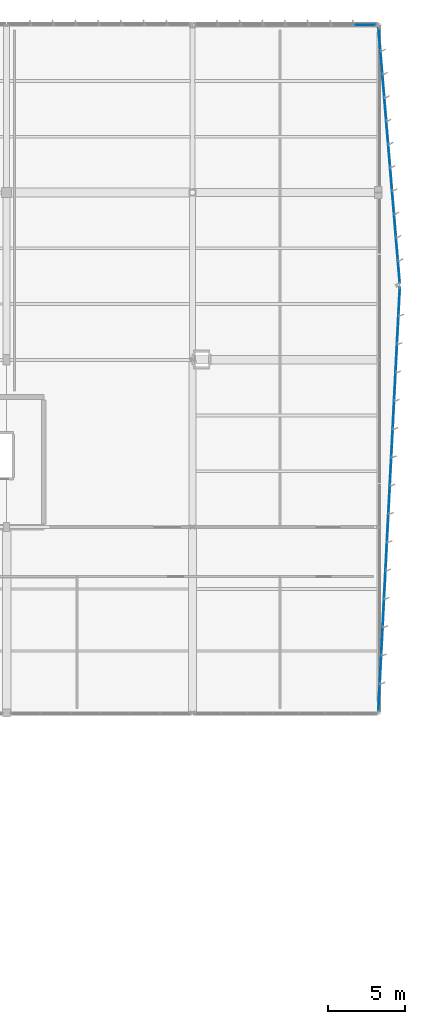
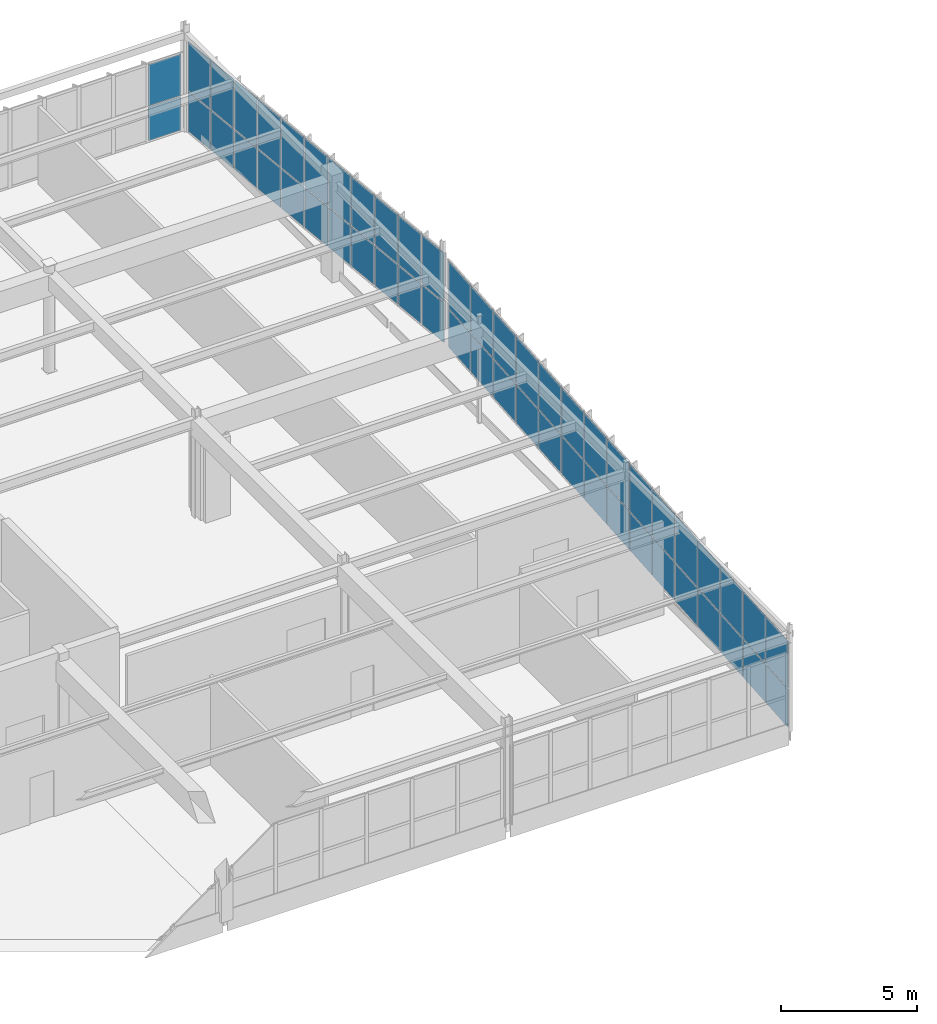
# One storey, part 152 of 226: 54 plates, 3 elements without a shape of their own.
"""IFC4 building model written with IfcOpenShell, lengths in metres."""

import ifcopenshell
import ifcopenshell.guid

model = None  # the IFC model being written
_history = None  # IfcOwnerHistory: only IFC2X3 demands one
_inside = {}  # id of a spatial element -> (the spatial element, [elements in it])
_under = {}  # id of a project, library or spatial element -> (it, [spatial elements below it])
_declared = {}  # id of a project -> (the project, [libraries it declares])
_typed = {}  # id of a type object -> (the type object, [elements of that type])
_made_of = {}  # id of a material, layer set ... -> (it, [elements and type objects made of it])


def new_model(schema):
    """Start an empty IFC model of exactly this schema.

    Asked for "IFC4X3", IfcOpenShell would pick the latest addendum, in which some entities
    have other attributes; the version numbers below select the first issue.
    IFC2X3 requires an IfcOwnerHistory on every rooted entity: one is made here for all.
    """
    global model, _history
    if schema == "IFC4X3":
        model = ifcopenshell.file(schema_version=(4, 3, 0, 0))
    else:
        model = ifcopenshell.file(schema=schema)
    _inside.clear()
    _under.clear()
    _declared.clear()
    _typed.clear()
    _made_of.clear()
    _history = None
    if model.schema == "IFC2X3":
        org = make("IfcOrganization", Name="unknown")
        user = make(
            "IfcPersonAndOrganization",
            ThePerson=make("IfcPerson", FamilyName="unknown"),
            TheOrganization=org,
        )
        app = make(
            "IfcApplication",
            ApplicationDeveloper=org,
            Version="unknown",
            ApplicationFullName="unknown",
            ApplicationIdentifier="unknown",
        )
        _history = make(
            "IfcOwnerHistory",
            OwningUser=user,
            OwningApplication=app,
            ChangeAction="ADDED",
            CreationDate=0,
        )
    return model


def make(cls, **values):
    """One entity of the class cls with the attributes given. An attribute that is None is left unset."""
    return model.create_entity(
        cls, **{name: value for name, value in values.items() if value is not None}
    )


def rooted(cls, **values):
    """An entity with a GlobalId (a new one), such as an element, a storey or a relation."""
    return make(cls, GlobalId=ifcopenshell.guid.new(), OwnerHistory=_history, **values)


def si_unit(unit_type, name, prefix=None):
    """IfcSIUnit, for example si_unit("LENGTHUNIT", "METRE", prefix="MILLI")."""
    return make("IfcSIUnit", UnitType=unit_type, Prefix=prefix, Name=name)


def assignment(units):
    """IfcUnitAssignment: the units of a project."""
    return None if units is None else make("IfcUnitAssignment", Units=units)


def point(xyz):
    """IfcCartesianPoint."""
    return None if xyz is None else make("IfcCartesianPoint", Coordinates=xyz)


def direction(xyz):
    """IfcDirection."""
    return None if xyz is None else make("IfcDirection", DirectionRatios=xyz)


def frame(location, z_axis=None, x_axis=None):
    """IfcAxis2Placement3D, a coordinate frame: its origin and axes. An axis left out is left unset."""
    return make(
        "IfcAxis2Placement3D",
        Location=point(location),
        Axis=direction(z_axis),
        RefDirection=direction(x_axis),
    )


def frame_2d(location, x_axis=None):
    """IfcAxis2Placement2D, a coordinate frame in the plane: its origin and x axis."""
    return make(
        "IfcAxis2Placement2D", Location=point(location), RefDirection=direction(x_axis)
    )


def origin():
    """The frame at (0, 0, 0) with its axes left unset."""
    return frame((0.0, 0.0, 0.0))


def origin_2d():
    """The frame at (0, 0) in the plane with its x axis left unset."""
    return frame_2d((0.0, 0.0))


def place(relative_to, where):
    """IfcLocalPlacement: puts the frame where relative to a parent placement (None: the world)."""
    return make(
        "IfcLocalPlacement", PlacementRelTo=relative_to, RelativePlacement=where
    )


def context(
    kind, dimensions, precision=None, world=None, true_north=None, identifier=None
):
    """IfcGeometricRepresentationContext, for example the 3D "Model" context."""
    return make(
        "IfcGeometricRepresentationContext",
        ContextIdentifier=identifier,
        ContextType=kind,
        CoordinateSpaceDimension=dimensions,
        Precision=precision,
        WorldCoordinateSystem=world,
        TrueNorth=true_north,
    )


def subcontext(parent, identifier, kind, view, scale=None):
    """IfcGeometricRepresentationSubContext, for example "Body" below "Model"."""
    return make(
        "IfcGeometricRepresentationSubContext",
        ContextIdentifier=identifier,
        ContextType=kind,
        ParentContext=parent,
        TargetScale=scale,
        TargetView=view,
    )


def project(units=None, contexts=None):
    """IfcProject with its units and contexts."""
    return rooted(
        "IfcProject",
        Name="project",
        RepresentationContexts=contexts,
        UnitsInContext=assignment(units),
    )


def spatial(cls, under=None, at=None, **own):
    """A site, building, storey or space (cls), placed at a placement, below another one or the project."""
    s = rooted(cls, ObjectPlacement=at, **own)
    if under is not None:
        _under.setdefault(under.id(), (under, []))[1].append(s)
    return s


def profile(cls, at=None, kind="AREA", **sizes):
    """A parametric profile (cls). Its sizes go by their IFC names, for example OverallWidth=200.0."""
    return make(cls, ProfileType=kind, Position=at, **sizes)


def rectangle(**sizes):
    """IfcRectangleProfileDef."""
    return profile("IfcRectangleProfileDef", **sizes)


def extrude(swept, where, along, depth):
    """IfcExtrudedAreaSolid: the profile swept, set in the frame where, extruded along a direction by depth."""
    return make(
        "IfcExtrudedAreaSolid",
        SweptArea=swept,
        Position=where,
        ExtrudedDirection=direction(along),
        Depth=depth,
    )


def shape(context_of_items, identifier, shape_type, items):
    """IfcShapeRepresentation: the items that make up one representation, for example the "Body"."""
    return make(
        "IfcShapeRepresentation",
        ContextOfItems=context_of_items,
        RepresentationIdentifier=identifier,
        RepresentationType=shape_type,
        Items=items,
    )


def material(Name=None, Category=None):
    """IfcMaterial."""
    return make("IfcMaterial", Name=Name, Category=Category)


def layer(
    of_material, thickness, ventilated=None, Name=None, Category=None, Priority=None
):
    """IfcMaterialLayer: one layer of a wall or slab, of a material (None: an air gap)."""
    return make(
        "IfcMaterialLayer",
        Material=of_material,
        LayerThickness=thickness,
        IsVentilated=ventilated,
        Name=Name,
        Category=Category,
        Priority=Priority,
    )


def layer_set(layers, Name=None):
    """IfcMaterialLayerSet."""
    return make("IfcMaterialLayerSet", MaterialLayers=layers, LayerSetName=Name)


def made_of(thing, what):
    """Note that an element or type object is made of a material, layer set ...; save() writes the relation."""
    if what is not None:
        _made_of.setdefault(what.id(), (what, []))[1].append(thing)
    return thing


def type_object(cls, material=None, **own):
    """A type object (cls), such as IfcWallType, which elements share."""
    return made_of(rooted(cls, **own), material)


def element(
    cls,
    number,
    at=None,
    inside=None,
    cuts=None,
    type_object=None,
    material=None,
    context=None,
    identifier="Body",
    shape_type=None,
    held_by="IfcProductDefinitionShape",
    body=None,
    shapes=None,
    **own,
):
    """One element of the class cls, such as IfcWall. Its Tag is "e" and its number.

    at: its placement. inside: the storey or other place that contains it. cuts: it is an
    opening in that element (IfcRelVoidsElement). A single representation is given by context,
    identifier, shape_type and body (its items); several are given by shapes. held_by: the class
    of the entity that holds the representations. save() writes the other relations.
    """
    e = rooted(cls, Tag="e%d" % number, ObjectPlacement=at, **own)
    if body is not None:
        shapes = [shape(context, identifier, shape_type, body)]
    if shapes is not None:
        e.Representation = make(held_by, Representations=shapes)
    if inside is not None:
        _inside.setdefault(inside.id(), (inside, []))[1].append(e)
    if cuts is not None:
        rooted(
            "IfcRelVoidsElement", RelatingBuildingElement=cuts, RelatedOpeningElement=e
        )
    if type_object is not None:
        _typed.setdefault(type_object.id(), (type_object, []))[1].append(e)
    return made_of(e, material)


def aggregate(whole, parts):
    """IfcRelAggregates: a whole, such as a stair, and the parts it consists of."""
    return rooted("IfcRelAggregates", RelatingObject=whole, RelatedObjects=parts)


def save(model, path):
    """Write the relations noted so far, then the file.

    IfcRelAggregates (storeys below a building ...), IfcRelContainedInSpatialStructure (elements
    in a storey), IfcRelDefinesByType, IfcRelAssociatesMaterial and IfcRelDeclares: one each for
    every whole, place, type object, material and project.
    """
    for whole, parts in _under.values():
        aggregate(whole, parts)
    for where, things in _inside.values():
        rooted(
            "IfcRelContainedInSpatialStructure",
            RelatedElements=things,
            RelatingStructure=where,
        )
    for kind, things in _typed.values():
        rooted("IfcRelDefinesByType", RelatedObjects=things, RelatingType=kind)
    for what, things in _made_of.values():
        rooted("IfcRelAssociatesMaterial", RelatedObjects=things, RelatingMaterial=what)
    for by, libraries in _declared.values():
        rooted("IfcRelDeclares", RelatingContext=by, RelatedDefinitions=libraries)
    model.write(path)


model = new_model("IFC4")

# Units and contexts
model_context = context("Model", 3, precision=1e-05, world=origin(), true_north=direction((0.0, 1.0)))
body_context = subcontext(model_context, "Body", "Model", "MODEL_VIEW")
ifc_project = project(units=[si_unit("LENGTHUNIT", "METRE"), si_unit("AREAUNIT", "SQUARE_METRE"), si_unit("VOLUMEUNIT", "CUBIC_METRE"), si_unit("PLANEANGLEUNIT", "RADIAN"), si_unit("MASSUNIT", "GRAM", prefix="KILO")], contexts=[model_context])

# Site, building, storey
site_placement = place(None, origin())
site = spatial("IfcSite", under=ifc_project, at=site_placement, CompositionType="ELEMENT")
building_placement = place(site_placement, origin())
building = spatial("IfcBuilding", under=site, at=building_placement, Name="Tarnwether General Hospital", CompositionType="ELEMENT")
storey_placement = place(building_placement, frame((0.0, 0.0, 4.800048828125)))
storey = spatial("IfcBuildingStorey", under=building, at=storey_placement, Name="L01", CompositionType="ELEMENT", Elevation=4.800048828125)

# Curtain wall, plates
ifc_material_1 = material(Name="Anodised aluminium", Category="aluminium")
ifc_layer_1 = layer(ifc_material_1, 0.159912109375)
ifc_layer_set_1 = layer_set([ifc_layer_1], Name="Anodised aluminium")
curtain_wall_type_1 = type_object("IfcCurtainWallType", Name="CW-16", PredefinedType="NOTDEFINED", material=ifc_layer_set_1)
curtain_wall_1_placement = place(storey_placement, origin())
curtain_wall_1 = element("IfcCurtainWall", 1, at=curtain_wall_1_placement, inside=storey, type_object=curtain_wall_type_1, Name="Curtain Wall CWG-L01-1802_1260-0392", PredefinedType="NOTDEFINED")
ifc_material_2 = material(Name="Double glazed low-E glass", Category="glass")
ifc_layer_2 = layer(ifc_material_2, 0.028076171875)
ifc_layer_set_2 = layer_set([ifc_layer_2], Name="Double glazed low-E glass")
plate_type = type_object("IfcPlateType", Name="PT-CWP1", PredefinedType="CURTAIN_PANEL", material=ifc_layer_set_2)
plate_1_placement = place(storey_placement, frame((191.119140625, 126.0, 0.059814453125), z_axis=(0.0, 0.0, 1.0), x_axis=(1.0, 0.0, 0.0)))
plate_1 = element("IfcPlate", 2, at=plate_1_placement, type_object=plate_type, Name="CW-16 panel 8.1", PredefinedType="CURTAIN_PANEL", context=body_context, shape_type="SweptSolid", body=[
    extrude(rectangle(XDim=1.371826171875, YDim=0.028076171875, at=origin_2d()), origin(), (0.0, 0.0, 1.0), 1.49853515625),
])
plate_2_placement = place(storey_placement, frame((191.119140625, 126.0, 1.618408203125), z_axis=(0.0, 0.0, 1.0), x_axis=(1.0, 0.0, 0.0)))
plate_2 = element("IfcPlate", 3, at=plate_2_placement, type_object=plate_type, Name="CW-16 panel 8.2", PredefinedType="CURTAIN_PANEL", context=body_context, shape_type="SweptSolid", body=[
    extrude(rectangle(XDim=1.371826171875, YDim=0.028076171875, at=origin_2d()), origin(), (0.0, 0.0, 1.0), 1.8515625),
])
aggregate(curtain_wall_1, [plate_1, plate_2])

curtain_wall_2_placement = place(storey_placement, origin())
curtain_wall_2 = element("IfcCurtainWall", 4, at=curtain_wall_2_placement, inside=storey, type_object=curtain_wall_type_1, Name="Curtain Wall CWG-L01-1920_1259-0397", PredefinedType="NOTDEFINED")
plate_3_placement = place(storey_placement, frame((192.075927734375, 125.088134765625, 0.059814453125), z_axis=(0.0, 0.0, 1.0), x_axis=(0.083065420017, -0.996544096364, 0.0)))
plate_3 = element("IfcPlate", 5, at=plate_3_placement, type_object=plate_type, Name="CW-16 panel 1.1", PredefinedType="CURTAIN_PANEL", context=body_context, shape_type="SweptSolid", body=[
    extrude(rectangle(XDim=1.419189453125, YDim=0.028076171875, at=origin_2d()), origin(), (0.0, 0.0, 1.0), 1.7685546875),
])
plate_4_placement = place(storey_placement, frame((192.075927734375, 125.088134765625, 1.888671875), z_axis=(0.0, 0.0, 1.0), x_axis=(0.083065420017, -0.996544096364, 0.0)))
plate_4 = element("IfcPlate", 6, at=plate_4_placement, type_object=plate_type, Name="CW-16 panel 1.2", PredefinedType="CURTAIN_PANEL", context=body_context, shape_type="SweptSolid", body=[
    extrude(rectangle(XDim=1.419189453125, YDim=0.028076171875, at=origin_2d()), origin(), (0.0, 0.0, 1.0), 2.181396484375),
])
plate_5_placement = place(storey_placement, frame((192.199951171875, 123.59912109375, 0.059814453125), z_axis=(0.0, 0.0, 1.0), x_axis=(0.083065420017, -0.996544096364, 0.0)))
plate_5 = element("IfcPlate", 7, at=plate_5_placement, type_object=plate_type, Name="CW-16 panel 2.1", PredefinedType="CURTAIN_PANEL", context=body_context, shape_type="SweptSolid", body=[
    extrude(rectangle(XDim=1.44921875, YDim=0.028076171875, at=origin_2d()), origin(), (0.0, 0.0, 1.0), 1.7685546875),
])
plate_6_placement = place(storey_placement, frame((192.199951171875, 123.59912109375, 1.888671875), z_axis=(0.0, 0.0, 1.0), x_axis=(0.083065420017, -0.996544096364, 0.0)))
plate_6 = element("IfcPlate", 8, at=plate_6_placement, type_object=plate_type, Name="CW-16 panel 2.2", PredefinedType="CURTAIN_PANEL", context=body_context, shape_type="SweptSolid", body=[
    extrude(rectangle(XDim=1.44921875, YDim=0.028076171875, at=origin_2d()), origin(), (0.0, 0.0, 1.0), 2.181396484375),
])
plate_7_placement = place(storey_placement, frame((192.325439453125, 122.094970703125, 0.059814453125), z_axis=(0.0, 0.0, 1.0), x_axis=(0.083065420017, -0.996544096364, 0.0)))
plate_7 = element("IfcPlate", 9, at=plate_7_placement, type_object=plate_type, Name="CW-16 panel 3.1", PredefinedType="CURTAIN_PANEL", context=body_context, shape_type="SweptSolid", body=[
    extrude(rectangle(XDim=1.44921875, YDim=0.028076171875, at=origin_2d()), origin(), (0.0, 0.0, 1.0), 1.7685546875),
])
plate_8_placement = place(storey_placement, frame((192.325439453125, 122.094970703125, 1.888671875), z_axis=(0.0, 0.0, 1.0), x_axis=(0.083065420017, -0.996544096364, 0.0)))
plate_8 = element("IfcPlate", 10, at=plate_8_placement, type_object=plate_type, Name="CW-16 panel 3.2", PredefinedType="CURTAIN_PANEL", context=body_context, shape_type="SweptSolid", body=[
    extrude(rectangle(XDim=1.44921875, YDim=0.028076171875, at=origin_2d()), origin(), (0.0, 0.0, 1.0), 2.181396484375),
])
plate_9_placement = place(storey_placement, frame((192.45068359375, 120.591064453125, 0.059814453125), z_axis=(0.0, 0.0, 1.0), x_axis=(0.083065420017, -0.996544096364, 0.0)))
plate_9 = element("IfcPlate", 11, at=plate_9_placement, type_object=plate_type, Name="CW-16 panel 4.1", PredefinedType="CURTAIN_PANEL", context=body_context, shape_type="SweptSolid", body=[
    extrude(rectangle(XDim=1.44921875, YDim=0.028076171875, at=origin_2d()), origin(), (0.0, 0.0, 1.0), 1.7685546875),
])
plate_10_placement = place(storey_placement, frame((192.45068359375, 120.591064453125, 1.888671875), z_axis=(0.0, 0.0, 1.0), x_axis=(0.083065420017, -0.996544096364, 0.0)))
plate_10 = element("IfcPlate", 12, at=plate_10_placement, type_object=plate_type, Name="CW-16 panel 4.2", PredefinedType="CURTAIN_PANEL", context=body_context, shape_type="SweptSolid", body=[
    extrude(rectangle(XDim=1.44921875, YDim=0.028076171875, at=origin_2d()), origin(), (0.0, 0.0, 1.0), 2.181396484375),
])
plate_11_placement = place(storey_placement, frame((192.576171875, 119.0869140625, 0.059814453125), z_axis=(0.0, 0.0, 1.0), x_axis=(0.083065420017, -0.996544096364, 0.0)))
plate_11 = element("IfcPlate", 13, at=plate_11_placement, type_object=plate_type, Name="CW-16 panel 5.1", PredefinedType="CURTAIN_PANEL", context=body_context, shape_type="SweptSolid", body=[
    extrude(rectangle(XDim=1.44921875, YDim=0.028076171875, at=origin_2d()), origin(), (0.0, 0.0, 1.0), 1.7685546875),
])
plate_12_placement = place(storey_placement, frame((192.576171875, 119.0869140625, 1.888671875), z_axis=(0.0, 0.0, 1.0), x_axis=(0.083065420017, -0.996544096364, 0.0)))
plate_12 = element("IfcPlate", 14, at=plate_12_placement, type_object=plate_type, Name="CW-16 panel 5.2", PredefinedType="CURTAIN_PANEL", context=body_context, shape_type="SweptSolid", body=[
    extrude(rectangle(XDim=1.44921875, YDim=0.028076171875, at=origin_2d()), origin(), (0.0, 0.0, 1.0), 2.181396484375),
])
plate_13_placement = place(storey_placement, frame((192.701416015625, 117.5830078125, 0.059814453125), z_axis=(0.0, 0.0, 1.0), x_axis=(0.083065420017, -0.996544096364, 0.0)))
plate_13 = element("IfcPlate", 15, at=plate_13_placement, type_object=plate_type, Name="CW-16 panel 6.1", PredefinedType="CURTAIN_PANEL", context=body_context, shape_type="SweptSolid", body=[
    extrude(rectangle(XDim=1.44921875, YDim=0.028076171875, at=origin_2d()), origin(), (0.0, 0.0, 1.0), 1.7685546875),
])
plate_14_placement = place(storey_placement, frame((192.701416015625, 117.5830078125, 1.888671875), z_axis=(0.0, 0.0, 1.0), x_axis=(0.083065420017, -0.996544096364, 0.0)))
plate_14 = element("IfcPlate", 16, at=plate_14_placement, type_object=plate_type, Name="CW-16 panel 6.2", PredefinedType="CURTAIN_PANEL", context=body_context, shape_type="SweptSolid", body=[
    extrude(rectangle(XDim=1.44921875, YDim=0.028076171875, at=origin_2d()), origin(), (0.0, 0.0, 1.0), 2.181396484375),
])
plate_15_placement = place(storey_placement, frame((192.826904296875, 116.0791015625, 0.059814453125), z_axis=(0.0, 0.0, 1.0), x_axis=(0.083065420017, -0.996544096364, 0.0)))
plate_15 = element("IfcPlate", 17, at=plate_15_placement, type_object=plate_type, Name="CW-16 panel 7.1", PredefinedType="CURTAIN_PANEL", context=body_context, shape_type="SweptSolid", body=[
    extrude(rectangle(XDim=1.44921875, YDim=0.028076171875, at=origin_2d()), origin(), (0.0, 0.0, 1.0), 1.7685546875),
])
plate_16_placement = place(storey_placement, frame((192.826904296875, 116.0791015625, 1.888671875), z_axis=(0.0, 0.0, 1.0), x_axis=(0.083065420017, -0.996544096364, 0.0)))
plate_16 = element("IfcPlate", 18, at=plate_16_placement, type_object=plate_type, Name="CW-16 panel 7.2", PredefinedType="CURTAIN_PANEL", context=body_context, shape_type="SweptSolid", body=[
    extrude(rectangle(XDim=1.44921875, YDim=0.028076171875, at=origin_2d()), origin(), (0.0, 0.0, 1.0), 2.181396484375),
])
plate_17_placement = place(storey_placement, frame((192.9521484375, 114.574951171875, 0.059814453125), z_axis=(0.0, 0.0, 1.0), x_axis=(0.083065420017, -0.996544096364, 0.0)))
plate_17 = element("IfcPlate", 19, at=plate_17_placement, type_object=plate_type, Name="CW-16 panel 8.1", PredefinedType="CURTAIN_PANEL", context=body_context, shape_type="SweptSolid", body=[
    extrude(rectangle(XDim=1.44921875, YDim=0.028076171875, at=origin_2d()), origin(), (0.0, 0.0, 1.0), 1.7685546875),
])
plate_18_placement = place(storey_placement, frame((192.9521484375, 114.574951171875, 1.888671875), z_axis=(0.0, 0.0, 1.0), x_axis=(0.083065420017, -0.996544096364, 0.0)))
plate_18 = element("IfcPlate", 20, at=plate_18_placement, type_object=plate_type, Name="CW-16 panel 8.2", PredefinedType="CURTAIN_PANEL", context=body_context, shape_type="SweptSolid", body=[
    extrude(rectangle(XDim=1.44921875, YDim=0.028076171875, at=origin_2d()), origin(), (0.0, 0.0, 1.0), 2.181396484375),
])
plate_19_placement = place(storey_placement, frame((193.07763671875, 113.071044921875, 0.059814453125), z_axis=(0.0, 0.0, 1.0), x_axis=(0.083065420017, -0.996544096364, 0.0)))
plate_19 = element("IfcPlate", 21, at=plate_19_placement, type_object=plate_type, Name="CW-16 panel 9.1", PredefinedType="CURTAIN_PANEL", context=body_context, shape_type="SweptSolid", body=[
    extrude(rectangle(XDim=1.44921875, YDim=0.028076171875, at=origin_2d()), origin(), (0.0, 0.0, 1.0), 1.7685546875),
])
plate_20_placement = place(storey_placement, frame((193.07763671875, 113.071044921875, 1.888671875), z_axis=(0.0, 0.0, 1.0), x_axis=(0.083065420017, -0.996544096364, 0.0)))
plate_20 = element("IfcPlate", 22, at=plate_20_placement, type_object=plate_type, Name="CW-16 panel 9.2", PredefinedType="CURTAIN_PANEL", context=body_context, shape_type="SweptSolid", body=[
    extrude(rectangle(XDim=1.44921875, YDim=0.028076171875, at=origin_2d()), origin(), (0.0, 0.0, 1.0), 2.181396484375),
])
plate_21_placement = place(storey_placement, frame((193.202880859375, 111.56689453125, 0.059814453125), z_axis=(0.0, 0.0, 1.0), x_axis=(0.083065420017, -0.996544096364, 0.0)))
plate_21 = element("IfcPlate", 23, at=plate_21_placement, type_object=plate_type, Name="CW-16 panel 10.1", PredefinedType="CURTAIN_PANEL", context=body_context, shape_type="SweptSolid", body=[
    extrude(rectangle(XDim=1.44921875, YDim=0.028076171875, at=origin_2d()), origin(), (0.0, 0.0, 1.0), 1.7685546875),
])
plate_22_placement = place(storey_placement, frame((193.202880859375, 111.56689453125, 1.888671875), z_axis=(0.0, 0.0, 1.0), x_axis=(0.083065420017, -0.996544096364, 0.0)))
plate_22 = element("IfcPlate", 24, at=plate_22_placement, type_object=plate_type, Name="CW-16 panel 10.2", PredefinedType="CURTAIN_PANEL", context=body_context, shape_type="SweptSolid", body=[
    extrude(rectangle(XDim=1.44921875, YDim=0.028076171875, at=origin_2d()), origin(), (0.0, 0.0, 1.0), 2.181396484375),
])
plate_23_placement = place(storey_placement, frame((193.3271484375, 110.077880859375, 0.059814453125), z_axis=(0.0, 0.0, 1.0), x_axis=(0.083065420017, -0.996544096364, 0.0)))
plate_23 = element("IfcPlate", 25, at=plate_23_placement, type_object=plate_type, Name="CW-16 panel 11.1", PredefinedType="CURTAIN_PANEL", context=body_context, shape_type="SweptSolid", body=[
    extrude(rectangle(XDim=1.419189453125, YDim=0.028076171875, at=origin_2d()), origin(), (0.0, 0.0, 1.0), 1.7685546875),
])
plate_24_placement = place(storey_placement, frame((193.3271484375, 110.077880859375, 1.888671875), z_axis=(0.0, 0.0, 1.0), x_axis=(0.083065420017, -0.996544096364, 0.0)))
plate_24 = element("IfcPlate", 26, at=plate_24_placement, type_object=plate_type, Name="CW-16 panel 11.2", PredefinedType="CURTAIN_PANEL", context=body_context, shape_type="SweptSolid", body=[
    extrude(rectangle(XDim=1.419189453125, YDim=0.028076171875, at=origin_2d()), origin(), (0.0, 0.0, 1.0), 2.181396484375),
])
aggregate(curtain_wall_2, [plate_3, plate_4, plate_5, plate_6, plate_7, plate_8, plate_9, plate_10, plate_11, plate_12, plate_13, plate_14, plate_15, plate_16, plate_17, plate_18, plate_19, plate_20, plate_21, plate_22, plate_23, plate_24])

ifc_material_3 = material(Name="Anodised aluminium", Category="aluminium")
ifc_layer_3 = layer(ifc_material_3, 0.159912109375)
ifc_layer_set_3 = layer_set([ifc_layer_3], Name="Anodised aluminium")
curtain_wall_type_2 = type_object("IfcCurtainWallType", Name="CW-17", PredefinedType="NOTDEFINED", material=ifc_layer_set_3)
curtain_wall_3_placement = place(storey_placement, origin())
curtain_wall_3 = element("IfcCurtainWall", 27, at=curtain_wall_3_placement, inside=storey, type_object=curtain_wall_type_2, Name="Curtain Wall CWG-L01-1934_1091-0398", PredefinedType="NOTDEFINED")
plate_25_placement = place(storey_placement, frame((193.347900390625, 108.16845703125, 0.06005859375), z_axis=(0.0, 0.0, 1.0), x_axis=(-0.050684525759, -0.998714713444, 0.0)))
plate_25 = element("IfcPlate", 28, at=plate_25_placement, type_object=plate_type, Name="CW-17 panel 1.1", PredefinedType="CURTAIN_PANEL", context=body_context, shape_type="SweptSolid", body=[
    extrude(rectangle(XDim=1.739501953125, YDim=0.028076171875, at=origin_2d()), origin(), (0.0, 0.0, 1.0), 1.69775390625),
])
plate_26_placement = place(storey_placement, frame((193.347900390625, 108.16845703125, 1.817626953125), z_axis=(0.0, 0.0, 1.0), x_axis=(-0.050684525759, -0.998714713444, 0.0)))
plate_26 = element("IfcPlate", 29, at=plate_26_placement, type_object=plate_type, Name="CW-17 panel 1.2", PredefinedType="CURTAIN_PANEL", context=body_context, shape_type="SweptSolid", body=[
    extrude(rectangle(XDim=1.739501953125, YDim=0.028076171875, at=origin_2d()), origin(), (0.0, 0.0, 1.0), 2.09521484375),
])
plate_27_placement = place(storey_placement, frame((193.255859375, 106.356201171875, 0.06005859375), z_axis=(0.0, 0.0, 1.0), x_axis=(-0.050684525759, -0.998714713444, 0.0)))
plate_27 = element("IfcPlate", 30, at=plate_27_placement, type_object=plate_type, Name="CW-17 panel 2.1", PredefinedType="CURTAIN_PANEL", context=body_context, shape_type="SweptSolid", body=[
    extrude(rectangle(XDim=1.76953125, YDim=0.028076171875, at=origin_2d()), origin(), (0.0, 0.0, 1.0), 1.69775390625),
])
plate_28_placement = place(storey_placement, frame((193.255859375, 106.356201171875, 1.817626953125), z_axis=(0.0, 0.0, 1.0), x_axis=(-0.050684525759, -0.998714713444, 0.0)))
plate_28 = element("IfcPlate", 31, at=plate_28_placement, type_object=plate_type, Name="CW-17 panel 2.2", PredefinedType="CURTAIN_PANEL", context=body_context, shape_type="SweptSolid", body=[
    extrude(rectangle(XDim=1.76953125, YDim=0.028076171875, at=origin_2d()), origin(), (0.0, 0.0, 1.0), 2.09521484375),
])
plate_29_placement = place(storey_placement, frame((193.1630859375, 104.52880859375, 0.06005859375), z_axis=(0.0, 0.0, 1.0), x_axis=(-0.050684525759, -0.998714713444, 0.0)))
plate_29 = element("IfcPlate", 32, at=plate_29_placement, type_object=plate_type, Name="CW-17 panel 3.1", PredefinedType="CURTAIN_PANEL", context=body_context, shape_type="SweptSolid", body=[
    extrude(rectangle(XDim=1.76953125, YDim=0.028076171875, at=origin_2d()), origin(), (0.0, 0.0, 1.0), 1.69775390625),
])
plate_30_placement = place(storey_placement, frame((193.1630859375, 104.52880859375, 1.817626953125), z_axis=(0.0, 0.0, 1.0), x_axis=(-0.050684525759, -0.998714713444, 0.0)))
plate_30 = element("IfcPlate", 33, at=plate_30_placement, type_object=plate_type, Name="CW-17 panel 3.2", PredefinedType="CURTAIN_PANEL", context=body_context, shape_type="SweptSolid", body=[
    extrude(rectangle(XDim=1.76953125, YDim=0.028076171875, at=origin_2d()), origin(), (0.0, 0.0, 1.0), 2.09521484375),
])
plate_31_placement = place(storey_placement, frame((193.0703125, 102.70166015625, 0.06005859375), z_axis=(0.0, 0.0, 1.0), x_axis=(-0.050684525759, -0.998714713444, 0.0)))
plate_31 = element("IfcPlate", 34, at=plate_31_placement, type_object=plate_type, Name="CW-17 panel 4.1", PredefinedType="CURTAIN_PANEL", context=body_context, shape_type="SweptSolid", body=[
    extrude(rectangle(XDim=1.76953125, YDim=0.028076171875, at=origin_2d()), origin(), (0.0, 0.0, 1.0), 1.69775390625),
])
plate_32_placement = place(storey_placement, frame((193.0703125, 102.70166015625, 1.817626953125), z_axis=(0.0, 0.0, 1.0), x_axis=(-0.050684525759, -0.998714713444, 0.0)))
plate_32 = element("IfcPlate", 35, at=plate_32_placement, type_object=plate_type, Name="CW-17 panel 4.2", PredefinedType="CURTAIN_PANEL", context=body_context, shape_type="SweptSolid", body=[
    extrude(rectangle(XDim=1.76953125, YDim=0.028076171875, at=origin_2d()), origin(), (0.0, 0.0, 1.0), 2.09521484375),
])
plate_33_placement = place(storey_placement, frame((192.977783203125, 100.874267578125, 0.06005859375), z_axis=(0.0, 0.0, 1.0), x_axis=(-0.050684525759, -0.998714713444, 0.0)))
plate_33 = element("IfcPlate", 36, at=plate_33_placement, type_object=plate_type, Name="CW-17 panel 5.1", PredefinedType="CURTAIN_PANEL", context=body_context, shape_type="SweptSolid", body=[
    extrude(rectangle(XDim=1.76953125, YDim=0.028076171875, at=origin_2d()), origin(), (0.0, 0.0, 1.0), 1.69775390625),
])
plate_34_placement = place(storey_placement, frame((192.977783203125, 100.874267578125, 1.817626953125), z_axis=(0.0, 0.0, 1.0), x_axis=(-0.050684525759, -0.998714713444, 0.0)))
plate_34 = element("IfcPlate", 37, at=plate_34_placement, type_object=plate_type, Name="CW-17 panel 5.2", PredefinedType="CURTAIN_PANEL", context=body_context, shape_type="SweptSolid", body=[
    extrude(rectangle(XDim=1.76953125, YDim=0.028076171875, at=origin_2d()), origin(), (0.0, 0.0, 1.0), 2.09521484375),
])
plate_35_placement = place(storey_placement, frame((192.885009765625, 99.047119140625, 0.06005859375), z_axis=(0.0, 0.0, 1.0), x_axis=(-0.050684525759, -0.998714713444, 0.0)))
plate_35 = element("IfcPlate", 38, at=plate_35_placement, type_object=plate_type, Name="CW-17 panel 6.1", PredefinedType="CURTAIN_PANEL", context=body_context, shape_type="SweptSolid", body=[
    extrude(rectangle(XDim=1.76953125, YDim=0.028076171875, at=origin_2d()), origin(), (0.0, 0.0, 1.0), 1.69775390625),
])
plate_36_placement = place(storey_placement, frame((192.885009765625, 99.047119140625, 1.817626953125), z_axis=(0.0, 0.0, 1.0), x_axis=(-0.050684525759, -0.998714713444, 0.0)))
plate_36 = element("IfcPlate", 39, at=plate_36_placement, type_object=plate_type, Name="CW-17 panel 6.2", PredefinedType="CURTAIN_PANEL", context=body_context, shape_type="SweptSolid", body=[
    extrude(rectangle(XDim=1.76953125, YDim=0.028076171875, at=origin_2d()), origin(), (0.0, 0.0, 1.0), 2.09521484375),
])
plate_37_placement = place(storey_placement, frame((192.792236328125, 97.2197265625, 0.06005859375), z_axis=(0.0, 0.0, 1.0), x_axis=(-0.050684525759, -0.998714713444, 0.0)))
plate_37 = element("IfcPlate", 40, at=plate_37_placement, type_object=plate_type, Name="CW-17 panel 7.1", PredefinedType="CURTAIN_PANEL", context=body_context, shape_type="SweptSolid", body=[
    extrude(rectangle(XDim=1.76953125, YDim=0.028076171875, at=origin_2d()), origin(), (0.0, 0.0, 1.0), 1.69775390625),
])
plate_38_placement = place(storey_placement, frame((192.792236328125, 97.2197265625, 1.817626953125), z_axis=(0.0, 0.0, 1.0), x_axis=(-0.050684525759, -0.998714713444, 0.0)))
plate_38 = element("IfcPlate", 41, at=plate_38_placement, type_object=plate_type, Name="CW-17 panel 7.2", PredefinedType="CURTAIN_PANEL", context=body_context, shape_type="SweptSolid", body=[
    extrude(rectangle(XDim=1.76953125, YDim=0.028076171875, at=origin_2d()), origin(), (0.0, 0.0, 1.0), 2.09521484375),
])
plate_39_placement = place(storey_placement, frame((192.699462890625, 95.392578125, 0.06005859375), z_axis=(0.0, 0.0, 1.0), x_axis=(-0.050684525759, -0.998714713444, 0.0)))
plate_39 = element("IfcPlate", 42, at=plate_39_placement, type_object=plate_type, Name="CW-17 panel 8.1", PredefinedType="CURTAIN_PANEL", context=body_context, shape_type="SweptSolid", body=[
    extrude(rectangle(XDim=1.76953125, YDim=0.028076171875, at=origin_2d()), origin(), (0.0, 0.0, 1.0), 1.69775390625),
])
plate_40_placement = place(storey_placement, frame((192.699462890625, 95.392578125, 1.817626953125), z_axis=(0.0, 0.0, 1.0), x_axis=(-0.050684525759, -0.998714713444, 0.0)))
plate_40 = element("IfcPlate", 43, at=plate_40_placement, type_object=plate_type, Name="CW-17 panel 8.2", PredefinedType="CURTAIN_PANEL", context=body_context, shape_type="SweptSolid", body=[
    extrude(rectangle(XDim=1.76953125, YDim=0.028076171875, at=origin_2d()), origin(), (0.0, 0.0, 1.0), 2.09521484375),
])
plate_41_placement = place(storey_placement, frame((192.606689453125, 93.565185546875, 0.06005859375), z_axis=(0.0, 0.0, 1.0), x_axis=(-0.050684525759, -0.998714713444, 0.0)))
plate_41 = element("IfcPlate", 44, at=plate_41_placement, type_object=plate_type, Name="CW-17 panel 9.1", PredefinedType="CURTAIN_PANEL", context=body_context, shape_type="SweptSolid", body=[
    extrude(rectangle(XDim=1.76953125, YDim=0.028076171875, at=origin_2d()), origin(), (0.0, 0.0, 1.0), 1.69775390625),
])
plate_42_placement = place(storey_placement, frame((192.606689453125, 93.565185546875, 1.817626953125), z_axis=(0.0, 0.0, 1.0), x_axis=(-0.050684525759, -0.998714713444, 0.0)))
plate_42 = element("IfcPlate", 45, at=plate_42_placement, type_object=plate_type, Name="CW-17 panel 9.2", PredefinedType="CURTAIN_PANEL", context=body_context, shape_type="SweptSolid", body=[
    extrude(rectangle(XDim=1.76953125, YDim=0.028076171875, at=origin_2d()), origin(), (0.0, 0.0, 1.0), 2.09521484375),
])
plate_43_placement = place(storey_placement, frame((192.513916015625, 91.738037109375, 0.06005859375), z_axis=(0.0, 0.0, 1.0), x_axis=(-0.050684525759, -0.998714713444, 0.0)))
plate_43 = element("IfcPlate", 46, at=plate_43_placement, type_object=plate_type, Name="CW-17 panel 10.1", PredefinedType="CURTAIN_PANEL", context=body_context, shape_type="SweptSolid", body=[
    extrude(rectangle(XDim=1.76953125, YDim=0.028076171875, at=origin_2d()), origin(), (0.0, 0.0, 1.0), 1.69775390625),
])
plate_44_placement = place(storey_placement, frame((192.513916015625, 91.738037109375, 1.817626953125), z_axis=(0.0, 0.0, 1.0), x_axis=(-0.050684525759, -0.998714713444, 0.0)))
plate_44 = element("IfcPlate", 47, at=plate_44_placement, type_object=plate_type, Name="CW-17 panel 10.2", PredefinedType="CURTAIN_PANEL", context=body_context, shape_type="SweptSolid", body=[
    extrude(rectangle(XDim=1.76953125, YDim=0.028076171875, at=origin_2d()), origin(), (0.0, 0.0, 1.0), 2.09521484375),
])
plate_45_placement = place(storey_placement, frame((192.42138671875, 89.91064453125, 0.06005859375), z_axis=(0.0, 0.0, 1.0), x_axis=(-0.050684525759, -0.998714713444, 0.0)))
plate_45 = element("IfcPlate", 48, at=plate_45_placement, type_object=plate_type, Name="CW-17 panel 11.1", PredefinedType="CURTAIN_PANEL", context=body_context, shape_type="SweptSolid", body=[
    extrude(rectangle(XDim=1.76953125, YDim=0.028076171875, at=origin_2d()), origin(), (0.0, 0.0, 1.0), 1.69775390625),
])
plate_46_placement = place(storey_placement, frame((192.42138671875, 89.91064453125, 1.817626953125), z_axis=(0.0, 0.0, 1.0), x_axis=(-0.050684525759, -0.998714713444, 0.0)))
plate_46 = element("IfcPlate", 49, at=plate_46_placement, type_object=plate_type, Name="CW-17 panel 11.2", PredefinedType="CURTAIN_PANEL", context=body_context, shape_type="SweptSolid", body=[
    extrude(rectangle(XDim=1.76953125, YDim=0.028076171875, at=origin_2d()), origin(), (0.0, 0.0, 1.0), 2.09521484375),
])
plate_47_placement = place(storey_placement, frame((192.32861328125, 88.08349609375, 0.06005859375), z_axis=(0.0, 0.0, 1.0), x_axis=(-0.050684525759, -0.998714713444, 0.0)))
plate_47 = element("IfcPlate", 50, at=plate_47_placement, type_object=plate_type, Name="CW-17 panel 12.1", PredefinedType="CURTAIN_PANEL", context=body_context, shape_type="SweptSolid", body=[
    extrude(rectangle(XDim=1.76953125, YDim=0.028076171875, at=origin_2d()), origin(), (0.0, 0.0, 1.0), 1.69775390625),
])
plate_48_placement = place(storey_placement, frame((192.32861328125, 88.08349609375, 1.817626953125), z_axis=(0.0, 0.0, 1.0), x_axis=(-0.050684525759, -0.998714713444, 0.0)))
plate_48 = element("IfcPlate", 51, at=plate_48_placement, type_object=plate_type, Name="CW-17 panel 12.2", PredefinedType="CURTAIN_PANEL", context=body_context, shape_type="SweptSolid", body=[
    extrude(rectangle(XDim=1.76953125, YDim=0.028076171875, at=origin_2d()), origin(), (0.0, 0.0, 1.0), 2.09521484375),
])
plate_49_placement = place(storey_placement, frame((192.23583984375, 86.256103515625, 0.06005859375), z_axis=(0.0, 0.0, 1.0), x_axis=(-0.050684525759, -0.998714713444, 0.0)))
plate_49 = element("IfcPlate", 52, at=plate_49_placement, type_object=plate_type, Name="CW-17 panel 13.1", PredefinedType="CURTAIN_PANEL", context=body_context, shape_type="SweptSolid", body=[
    extrude(rectangle(XDim=1.76953125, YDim=0.028076171875, at=origin_2d()), origin(), (0.0, 0.0, 1.0), 1.69775390625),
])
plate_50_placement = place(storey_placement, frame((192.23583984375, 86.256103515625, 1.817626953125), z_axis=(0.0, 0.0, 1.0), x_axis=(-0.050684525759, -0.998714713444, 0.0)))
plate_50 = element("IfcPlate", 53, at=plate_50_placement, type_object=plate_type, Name="CW-17 panel 13.2", PredefinedType="CURTAIN_PANEL", context=body_context, shape_type="SweptSolid", body=[
    extrude(rectangle(XDim=1.76953125, YDim=0.028076171875, at=origin_2d()), origin(), (0.0, 0.0, 1.0), 2.09521484375),
])
plate_51_placement = place(storey_placement, frame((192.14306640625, 84.428955078125, 0.06005859375), z_axis=(0.0, 0.0, 1.0), x_axis=(-0.050684525759, -0.998714713444, 0.0)))
plate_51 = element("IfcPlate", 54, at=plate_51_placement, type_object=plate_type, Name="CW-17 panel 14.1", PredefinedType="CURTAIN_PANEL", context=body_context, shape_type="SweptSolid", body=[
    extrude(rectangle(XDim=1.76953125, YDim=0.028076171875, at=origin_2d()), origin(), (0.0, 0.0, 1.0), 1.69775390625),
])
plate_52_placement = place(storey_placement, frame((192.14306640625, 84.428955078125, 1.817626953125), z_axis=(0.0, 0.0, 1.0), x_axis=(-0.050684525759, -0.998714713444, 0.0)))
plate_52 = element("IfcPlate", 55, at=plate_52_placement, type_object=plate_type, Name="CW-17 panel 14.2", PredefinedType="CURTAIN_PANEL", context=body_context, shape_type="SweptSolid", body=[
    extrude(rectangle(XDim=1.76953125, YDim=0.028076171875, at=origin_2d()), origin(), (0.0, 0.0, 1.0), 2.09521484375),
])
plate_53_placement = place(storey_placement, frame((192.051025390625, 82.61669921875, 0.06005859375), z_axis=(0.0, 0.0, 1.0), x_axis=(-0.050684525759, -0.998714713444, 0.0)))
plate_53 = element("IfcPlate", 56, at=plate_53_placement, type_object=plate_type, Name="CW-17 panel 15.1", PredefinedType="CURTAIN_PANEL", context=body_context, shape_type="SweptSolid", body=[
    extrude(rectangle(XDim=1.739501953125, YDim=0.028076171875, at=origin_2d()), origin(), (0.0, 0.0, 1.0), 1.69775390625),
])
plate_54_placement = place(storey_placement, frame((192.051025390625, 82.61669921875, 1.817626953125), z_axis=(0.0, 0.0, 1.0), x_axis=(-0.050684525759, -0.998714713444, 0.0)))
plate_54 = element("IfcPlate", 57, at=plate_54_placement, type_object=plate_type, Name="CW-17 panel 15.2", PredefinedType="CURTAIN_PANEL", context=body_context, shape_type="SweptSolid", body=[
    extrude(rectangle(XDim=1.739501953125, YDim=0.028076171875, at=origin_2d()), origin(), (0.0, 0.0, 1.0), 2.09521484375),
])
aggregate(curtain_wall_3, [plate_25, plate_26, plate_27, plate_28, plate_29, plate_30, plate_31, plate_32, plate_33, plate_34, plate_35, plate_36, plate_37, plate_38, plate_39, plate_40, plate_41, plate_42, plate_43, plate_44, plate_45, plate_46, plate_47, plate_48, plate_49, plate_50, plate_51, plate_52, plate_53, plate_54])

save(model, "model.ifc")
